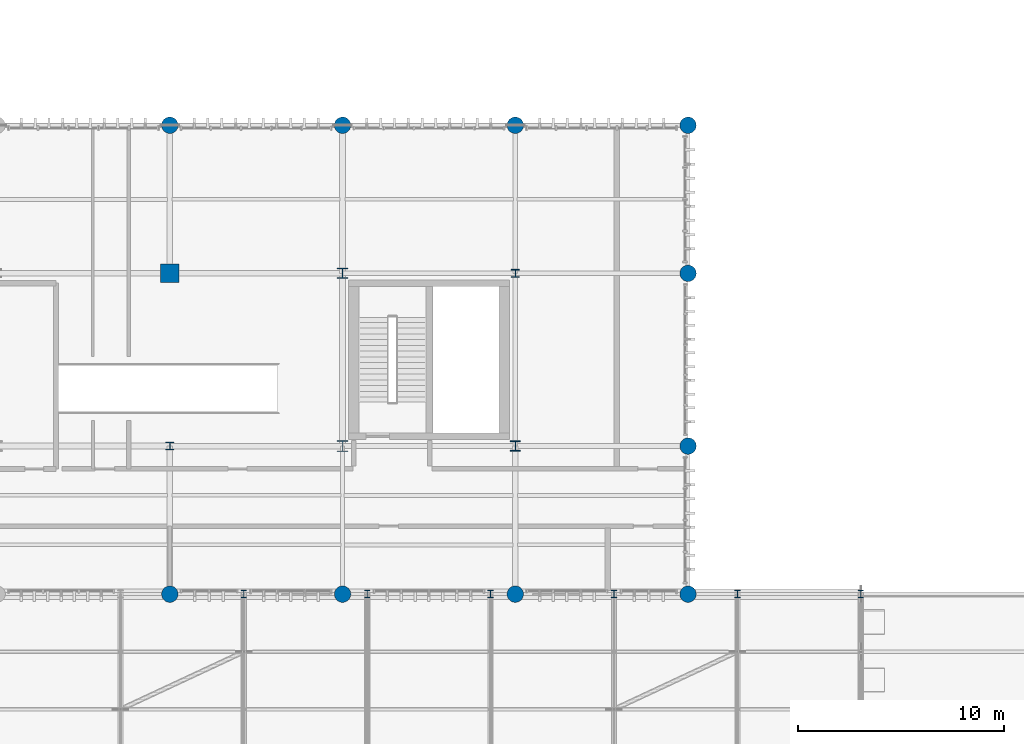
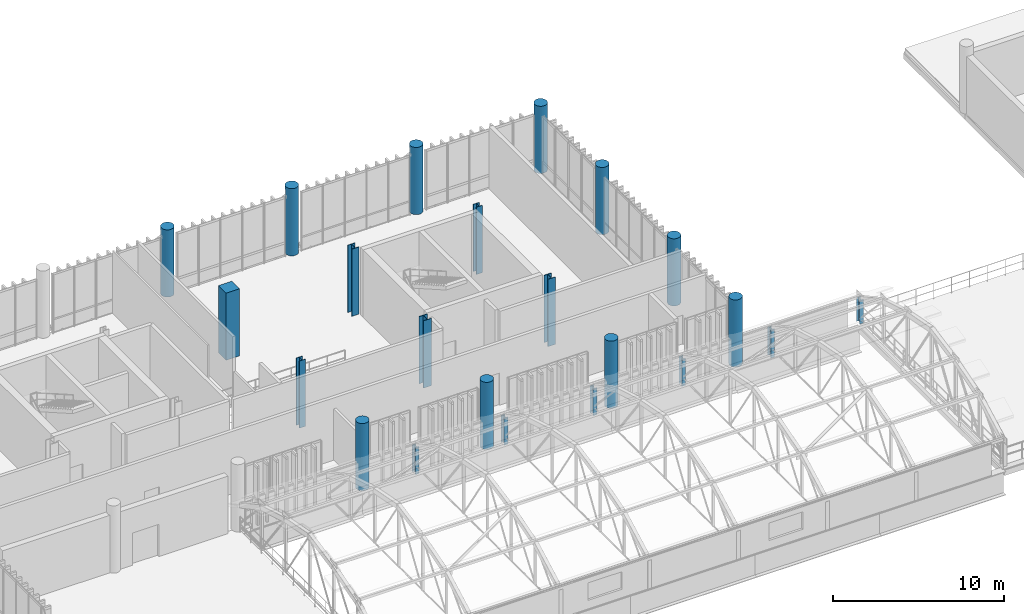
# One storey, part 7 of 109: 22 columns.
"""IFC4 building model written with IfcOpenShell, lengths in metres."""

from ifc_helpers import new_model, si_unit, direction, frame, origin_with_axes, origin_2d_with_axis, place, context, subcontext, project, spatial, rectangle, circle, i_section, extrude, material, material_profile, profile_set, type_object, element, save


model = new_model("IFC4")

# Units and contexts
model_context = context("Model", 3, precision=1e-05, world=origin_with_axes(), true_north=direction((0.0, 1.0)))
body_context = subcontext(model_context, "Body", "Model", "MODEL_VIEW")
ifc_project = project(units=[si_unit("LENGTHUNIT", "METRE"), si_unit("AREAUNIT", "SQUARE_METRE"), si_unit("VOLUMEUNIT", "CUBIC_METRE"), si_unit("PLANEANGLEUNIT", "RADIAN"), si_unit("MASSUNIT", "GRAM", prefix="KILO"), si_unit("THERMODYNAMICTEMPERATUREUNIT", "KELVIN")], contexts=[model_context])

# Site, building, storey
site_placement = place(None, origin_with_axes())
site = spatial("IfcSite", under=ifc_project, at=site_placement, CompositionType="ELEMENT")
building_placement = place(site_placement, origin_with_axes())
building = spatial("IfcBuilding", under=site, at=building_placement, Name="Montbau Bow Law Courts", CompositionType="ELEMENT")
storey_placement = place(building_placement, frame((0.0, 0.0, 10.8), z_axis=(0.0, 0.0, 1.0), x_axis=(1.0, 0.0, 0.0)))
storey = spatial("IfcBuildingStorey", under=building, at=storey_placement, Name="L02", CompositionType="ELEMENT", Elevation=10.8)

# Columns
ifc_material_1 = material(Name="Concrete CSA A23.1 f'c 45 MPa", Category="concrete")
ifc_material_profile_1 = material_profile(ifc_material_1, rectangle(XDim=0.9, YDim=0.9, at=origin_2d_with_axis()), Name="RC900X900", Category="Main", Priority=0)
ifc_profile_set_1 = profile_set([ifc_material_profile_1], Name="Concrete CSA A23.1 f'c 45 MPa")
column_type_1 = type_object("IfcColumnType", Name="C-RC-01", PredefinedType="COLUMN", material=ifc_profile_set_1)
column_1_placement = place(None, frame((72.0, 54.6, 10.8), z_axis=(0.0, 0.0, 1.0), x_axis=(1.0, 0.0, 0.0)))
element("IfcColumn", 1, at=column_1_placement, inside=storey, type_object=column_type_1, Name="C-L02-S0555:col2_0555", PredefinedType="COLUMN", context=body_context, shape_type="SweptSolid", body=[
    extrude(rectangle(XDim=0.9, YDim=0.9, at=origin_2d_with_axis()), origin_with_axes(), (0.0, 0.0, 1.0), 4.8),
])
ifc_material_2 = material(Name="Concrete CSA A23.1 f'c 40 MPa", Category="concrete")
ifc_material_profile_2 = material_profile(ifc_material_2, circle(Radius=0.4, at=origin_2d_with_axis()), Name="RC800D", Category="Main", Priority=0)
ifc_profile_set_2 = profile_set([ifc_material_profile_2], Name="Concrete CSA A23.1 f'c 40 MPa")
column_type_2 = type_object("IfcColumnType", Name="C-RC-07", PredefinedType="COLUMN", material=ifc_profile_set_2)
for number, where, z_axis, x_axis, name in (
    (2, (72.0, 39.0, 10.8), (0.0, 0.0, 1.0), (1.0, 0.0, 0.0), "C-L02-S0553:col2_0553"),
    (3, (72.0, 61.8, 10.8), (0.0, 0.0, 1.0), (1.0, 0.0, 0.0), "C-L02-S0556:col2_0556"),
    (4, (80.4, 39.0, 10.8), (0.0, 0.0, 1.0), (1.0, 0.0, 0.0), "C-L02-S0557:col2_0557"),
    (5, (80.4, 61.8, 10.8), (0.0, 0.0, 1.0), (1.0, 0.0, 0.0), "C-L02-S0560:col2_0560"),
    (6, (88.8, 39.0, 10.8), (0.0, 0.0, 1.0), (1.0, 0.0, 0.0), "C-L02-S0561:col2_0561"),
    (7, (88.8, 61.8, 10.8), (0.0, 0.0, 1.0), (1.0, 0.0, 0.0), "C-L02-S0564:col2_0564"),
    (8, (97.2, 39.0, 10.8), (0.0, 0.0, 1.0), (1.0, 0.0, 0.0), "C-L02-S0565:col2_0565"),
    (9, (97.2, 46.2, 10.8), (0.0, 0.0, 1.0), (1.0, 0.0, 0.0), "C-L02-S0566:col2_0566"),
    (10, (97.2, 54.6, 10.8), (0.0, 0.0, 1.0), (1.0, 0.0, 0.0), "C-L02-S0567:col2_0567"),
    (11, (97.2, 61.8, 10.8), (0.0, 0.0, 1.0), (1.0, 0.0, 0.0), "C-L02-S0568:col2_0568"),
):
    element("IfcColumn", number, at=place(None, frame(where, z_axis=z_axis, x_axis=x_axis)), inside=storey, type_object=column_type_2, Name=name, PredefinedType="COLUMN", context=body_context, shape_type="SweptSolid", body=[
        extrude(circle(Radius=0.4, at=origin_2d_with_axis()), origin_with_axes(), (0.0, 0.0, 1.0), 4.8),
    ])
ifc_material_3 = material(Name="Steel CSA G40.21 Grade 350W (350 MPa)", Category="steel")
ifc_material_profile_3 = material_profile(ifc_material_3, i_section(OverallWidth=0.55, OverallDepth=0.55, WebThickness=0.025, FlangeThickness=0.042, at=origin_2d_with_axis()), Name="WWF550X420", Category="Main", Priority=0)
ifc_profile_set_3 = profile_set([ifc_material_profile_3], Name="Steel CSA G40.21 Grade 350W (350 MPa)")
column_type_3 = type_object("IfcColumnType", Name="C-STL-01", PredefinedType="COLUMN", material=ifc_profile_set_3)
column_2_placement = place(None, frame((80.4, 46.2, 10.8), z_axis=(0.0, 0.0, 1.0), x_axis=(1.0, 0.0, 0.0)))
element("IfcColumn", 12, at=column_2_placement, inside=storey, type_object=column_type_3, Name="C-L02-S0558:col2_0558", PredefinedType="COLUMN", context=body_context, shape_type="SweptSolid", body=[
    extrude(i_section(OverallWidth=0.55, OverallDepth=0.55, WebThickness=0.025, FlangeThickness=0.042, at=origin_2d_with_axis()), origin_with_axes(), (0.0, 0.0, 1.0), 4.8),
])
ifc_material_profile_4 = material_profile(ifc_material_3, i_section(OverallWidth=0.5, OverallDepth=0.5, WebThickness=0.022, FlangeThickness=0.036, at=origin_2d_with_axis()), Name="WWF500X343", Category="Main", Priority=0)
ifc_profile_set_4 = profile_set([ifc_material_profile_4], Name="Steel CSA G40.21 Grade 350W (350 MPa)")
column_type_4 = type_object("IfcColumnType", Name="C-STL-02", PredefinedType="COLUMN", material=ifc_profile_set_4)
for number, where, z_axis, x_axis, name in (
    (13, (80.4, 54.6, 10.8), (0.0, 0.0, 1.0), (1.0, 0.0, 0.0), "C-L02-S0559:col2_0559"),
    (14, (88.8, 46.2, 10.8), (0.0, 0.0, 1.0), (1.0, 0.0, 0.0), "C-L02-S0562:col2_0562"),
):
    element("IfcColumn", number, at=place(None, frame(where, z_axis=z_axis, x_axis=x_axis)), inside=storey, type_object=column_type_4, Name=name, PredefinedType="COLUMN", context=body_context, shape_type="SweptSolid", body=[
        extrude(i_section(OverallWidth=0.5, OverallDepth=0.5, WebThickness=0.022, FlangeThickness=0.036, at=origin_2d_with_axis()), origin_with_axes(), (0.0, 0.0, 1.0), 4.8),
    ])
ifc_material_profile_5 = material_profile(ifc_material_3, i_section(OverallWidth=0.395, OverallDepth=0.38, WebThickness=0.0189, FlangeThickness=0.0302, at=origin_2d_with_axis()), Name="W360X237", Category="Main", Priority=0)
ifc_profile_set_5 = profile_set([ifc_material_profile_5], Name="Steel CSA G40.21 Grade 350W (350 MPa)")
column_type_5 = type_object("IfcColumnType", Name="C-STL-03", PredefinedType="COLUMN", material=ifc_profile_set_5)
for number, where, z_axis, x_axis, name in (
    (15, (72.0, 46.2, 10.8), (0.0, 0.0, 1.0), (1.0, 0.0, 0.0), "C-L02-S0554:col2_0554"),
    (16, (88.8, 54.6, 10.8), (0.0, 0.0, 1.0), (1.0, 0.0, 0.0), "C-L02-S0563:col2_0563"),
):
    element("IfcColumn", number, at=place(None, frame(where, z_axis=z_axis, x_axis=x_axis)), inside=storey, type_object=column_type_5, Name=name, PredefinedType="COLUMN", context=body_context, shape_type="SweptSolid", body=[
        extrude(i_section(OverallWidth=0.395, OverallDepth=0.38, WebThickness=0.0189, FlangeThickness=0.0302, at=origin_2d_with_axis()), origin_with_axes(), (0.0, 0.0, 1.0), 4.8),
    ])
ifc_material_profile_6 = material_profile(ifc_material_3, i_section(OverallWidth=0.257, OverallDepth=0.363, WebThickness=0.013, FlangeThickness=0.0217, at=origin_2d_with_axis()), Name="W360X122", Category="Main", Priority=0)
ifc_profile_set_6 = profile_set([ifc_material_profile_6], Name="Steel CSA G40.21 Grade 350W (350 MPa)")
column_type_6 = type_object("IfcColumnType", Name="C-STL-05", PredefinedType="COLUMN", material=ifc_profile_set_6)
for number, where, z_axis, x_axis, name in (
    (17, (75.6, 39.0, 10.56), (0.0, 0.0, 1.0), (1.0, 0.0, 0.0), "C-VLT-V4-03N:col2_1182"),
    (18, (81.6, 39.0, 10.56), (0.0, 0.0, 1.0), (1.0, 0.0, 0.0), "C-VLT-V4-04N:col2_1184"),
    (19, (87.6, 39.0, 10.56), (0.0, 0.0, 1.0), (1.0, 0.0, 0.0), "C-VLT-V4-05N:col2_1186"),
    (20, (93.6, 39.0, 10.56), (0.0, 0.0, 1.0), (1.0, 0.0, 0.0), "C-VLT-V4-06N:col2_1188"),
):
    element("IfcColumn", number, at=place(None, frame(where, z_axis=z_axis, x_axis=x_axis)), inside=storey, type_object=column_type_6, Name=name, PredefinedType="COLUMN", context=body_context, shape_type="SweptSolid", body=[
        extrude(i_section(OverallWidth=0.257, OverallDepth=0.363, WebThickness=0.013, FlangeThickness=0.0217, at=origin_2d_with_axis()), origin_with_axes(), (0.0, 0.0, 1.0), 1.94),
    ])
column_3_placement = place(None, frame((99.6, 39.0, 10.48), z_axis=(0.0, 0.0, 1.0), x_axis=(1.0, 0.0, 0.0)))
element("IfcColumn", 21, at=column_3_placement, inside=storey, type_object=column_type_6, Name="C-VLT-V4-07N:col2_1190", PredefinedType="COLUMN", context=body_context, shape_type="SweptSolid", body=[
    extrude(i_section(OverallWidth=0.257, OverallDepth=0.363, WebThickness=0.013, FlangeThickness=0.0217, at=origin_2d_with_axis()), origin_with_axes(), (0.0, 0.0, 1.0), 2.02),
])
column_4_placement = place(None, frame((105.6, 39.0, 10.8), z_axis=(0.0, 0.0, 1.0), x_axis=(1.0, 0.0, 0.0)))
element("IfcColumn", 22, at=column_4_placement, inside=storey, type_object=column_type_6, Name="C-VLT-V4-08N:col2_1192", PredefinedType="COLUMN", context=body_context, shape_type="SweptSolid", body=[
    extrude(i_section(OverallWidth=0.257, OverallDepth=0.363, WebThickness=0.013, FlangeThickness=0.0217, at=origin_2d_with_axis()), origin_with_axes(), (0.0, 0.0, 1.0), 1.7),
])

save(model, "model.ifc")
